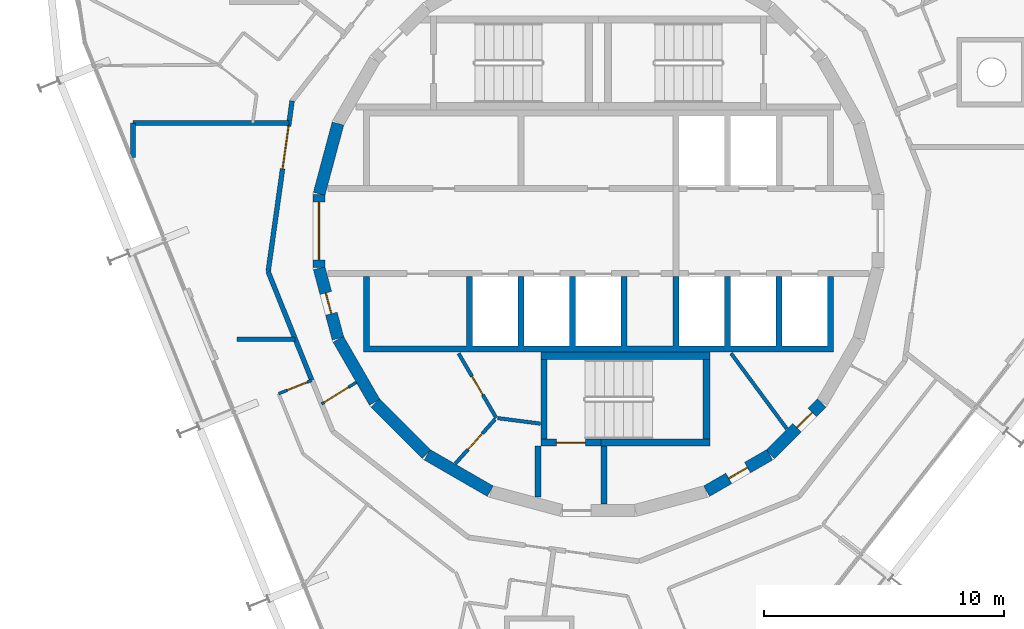
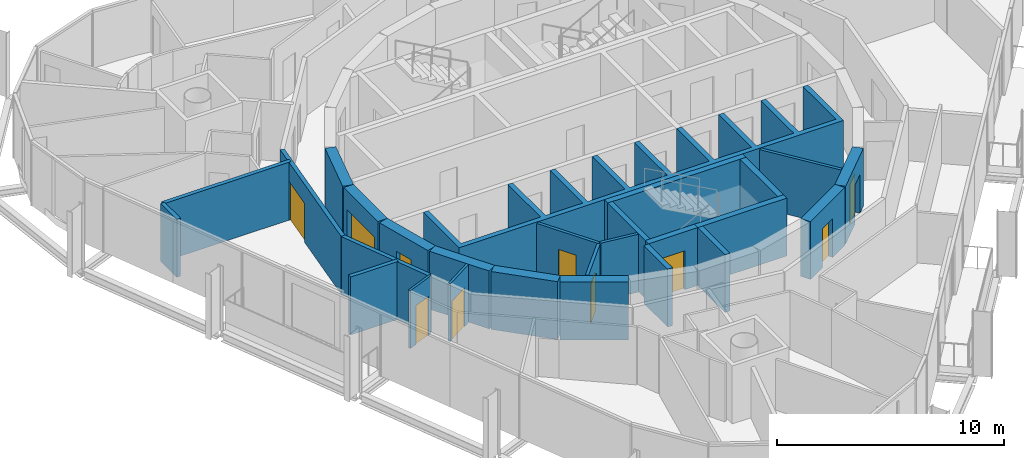
# One storey, part 10 of 15: 27 walls, 10 doors, 10 openings.
"""IFC4 building model written with IfcOpenShell, lengths in metres."""

from ifc_helpers import new_model, si_unit, direction, frame, frame_2d, origin, place, context, subcontext, project, spatial, polyline, rectangle, outline, extrude, material, layer, layer_set, type_object, element, fill, save


model = new_model("IFC4")

# Units and contexts
model_context = context("Model", 3, precision=1e-05, world=origin(), true_north=direction((0.0, 1.0)))
body_context = subcontext(model_context, "Body", "Model", "MODEL_VIEW")
ifc_project = project(units=[si_unit("LENGTHUNIT", "METRE"), si_unit("AREAUNIT", "SQUARE_METRE"), si_unit("VOLUMEUNIT", "CUBIC_METRE"), si_unit("PLANEANGLEUNIT", "RADIAN"), si_unit("MASSUNIT", "GRAM", prefix="KILO")], contexts=[model_context])

# Site, building, storey
site_placement = place(None, origin())
site = spatial("IfcSite", under=ifc_project, at=site_placement, CompositionType="ELEMENT")
building_placement = place(site_placement, origin())
building = spatial("IfcBuilding", under=site, at=building_placement, Name="Spindle Arch Residences", CompositionType="ELEMENT")
storey_placement = place(building_placement, frame((0.0, 0.0, 340.0)))
storey = spatial("IfcBuildingStorey", under=building, at=storey_placement, Name="L87", CompositionType="ELEMENT", Elevation=340.0)

# Wall, opening, door
ifc_material_1 = material(Name="Concrete C50/60", Category="concrete")
ifc_layer_1 = layer(ifc_material_1, 0.5)
ifc_layer_set_1 = layer_set([ifc_layer_1], Name="Core outline wall 500")
wall_type_1 = type_object("IfcWallType", Name="Core outline wall 500", PredefinedType="SHEAR", material=ifc_layer_set_1)
wall_1_placement = place(storey_placement, frame((4.510498046875, -10.84521484375, 0.0), z_axis=(0.0, 0.0, 1.0), x_axis=(0.865975092491, 0.500087131594, 0.0)))
wall_1 = element("IfcWall", 1, at=wall_1_placement, inside=storey, type_object=wall_type_1, Name="Core outline wall 2", PredefinedType="SHEAR", context=body_context, shape_type="SweptSolid", body=[
    extrude(rectangle(XDim=3.03271484375, YDim=0.5, at=frame_2d((1.516357421875, 0.0))), origin(), (0.0, 0.0, 1.0), 3.1201171875),
])
opening_1_placement = place(wall_1_placement, frame((1.06640625, 0.0, 0.0)))
opening_1 = element("IfcOpeningElement", 2, at=opening_1_placement, cuts=wall_1, Name="Opening R9A0-WD08", PredefinedType="OPENING", context=body_context, shape_type="SweptSolid", body=[
    extrude(rectangle(XDim=0.89990234375, YDim=2.10009765625, at=frame_2d((0.449951171875, 1.050048828125))), frame((0.0, 0.260009765625, 0.0), z_axis=(0.0, -1.0, 0.0), x_axis=(1.0, 0.0, 0.0)), (0.0, 0.0, 1.0), 0.52001953125),
])
ifc_material_2 = material(Name="Steel, fire-resisting door", Category="steel")
door_type_1 = type_object("IfcDoorType", Name="Service room door 900x2100", OperationType="SINGLE_SWING_LEFT", PredefinedType="DOOR", material=ifc_material_2)
door_1_placement = place(opening_1_placement, origin())
door_1 = element("IfcDoor", 3, at=door_1_placement, inside=storey, type_object=door_type_1, Name="Service room door R9A0-WD08", OperationType="SINGLE_SWING_RIGHT", OverallHeight=2.10009765625, OverallWidth=0.89990234375, PredefinedType="DOOR", context=body_context, shape_type="SweptSolid", body=[
    extrude(rectangle(XDim=0.89990234375, YDim=2.10009765625, at=frame_2d((0.449951171875, 1.050048828125))), frame((0.0, 0.02490234375, 0.0), z_axis=(0.0, -1.0, 0.0), x_axis=(1.0, 0.0, 0.0)), (0.0, 0.0, 1.0), 0.050048828125),
])
fill(opening_1, door_1)

wall_2_placement = place(storey_placement, frame((7.163818359375, -9.30810546875, 0.0), z_axis=(0.0, 0.0, 1.0), x_axis=(0.707106781187, 0.707106781187, 0.0)))
wall_2 = element("IfcWall", 4, at=wall_2_placement, inside=storey, type_object=wall_type_1, Name="Core outline wall 3", PredefinedType="SHEAR", context=body_context, shape_type="SweptSolid", body=[
    extrude(rectangle(XDim=3.032470703125, YDim=0.5, at=frame_2d((1.51611328125, 0.0))), origin(), (0.0, 0.0, 1.0), 3.1201171875),
])
opening_2_placement = place(wall_2_placement, frame((1.56640625, 0.0, 0.0)))
opening_2 = element("IfcOpeningElement", 5, at=opening_2_placement, cuts=wall_2, Name="Opening R9A0-WD09", PredefinedType="OPENING", context=body_context, shape_type="SweptSolid", body=[
    extrude(rectangle(XDim=0.89990234375, YDim=2.10009765625, at=frame_2d((0.449951171875, 1.050048828125))), frame((0.0, 0.260009765625, 0.0), z_axis=(0.0, -1.0, 0.0), x_axis=(1.0, 0.0, 0.0)), (0.0, 0.0, 1.0), 0.52001953125),
])
door_2_placement = place(opening_2_placement, origin())
door_2 = element("IfcDoor", 6, at=door_2_placement, inside=storey, type_object=door_type_1, Name="Service room door R9A0-WD09", OperationType="SINGLE_SWING_LEFT", OverallHeight=2.10009765625, OverallWidth=0.89990234375, PredefinedType="DOOR", context=body_context, shape_type="SweptSolid", body=[
    extrude(rectangle(XDim=0.89990234375, YDim=2.10009765625, at=frame_2d((0.449951171875, 1.050048828125))), frame((0.0, 0.02490234375, 0.0), z_axis=(0.0, -1.0, 0.0), x_axis=(1.0, 0.0, 0.0)), (0.0, 0.0, 1.0), 0.050048828125),
])
fill(opening_2, door_2)

# Wall
wall_3_placement = place(storey_placement, frame((-10.858154296875, 4.479248046875, 0.0), z_axis=(0.0, 0.0, 1.0), x_axis=(-0.258734743916, -0.965948410781, 0.0)))
element("IfcWall", 7, at=wall_3_placement, inside=storey, type_object=wall_type_1, Name="Core outline wall 17", PredefinedType="SHEAR", context=body_context, shape_type="SweptSolid", body=[
    extrude(rectangle(XDim=3.03271484375, YDim=0.5, at=frame_2d((1.516357421875, 0.0))), origin(), (0.0, 0.0, 1.0), 3.1201171875),
])

# Wall, opening, door
wall_4_placement = place(storey_placement, frame((-11.647216796875, 1.516357421875, 0.0), z_axis=(0.0, 0.0, 1.0), x_axis=(0.0, -1.0, 0.0)))
wall_4 = element("IfcWall", 8, at=wall_4_placement, inside=storey, type_object=wall_type_1, Name="Core outline wall 18", PredefinedType="SHEAR", context=body_context, shape_type="SweptSolid", body=[
    extrude(rectangle(XDim=3.03271484375, YDim=0.5, at=frame_2d((1.516357421875, 0.0))), origin(), (0.0, 0.0, 1.0), 3.1201171875),
])
opening_3_placement = place(wall_4_placement, frame((0.31640625, 0.0, 0.0)))
opening_3 = element("IfcOpeningElement", 9, at=opening_3_placement, cuts=wall_4, Name="Opening R9A0-LE01", PredefinedType="OPENING", context=body_context, shape_type="SweptSolid", body=[
    extrude(rectangle(XDim=2.39990234375, YDim=2.10009765625, at=frame_2d((1.199951171875, 1.050048828125))), frame((0.0, 0.260009765625, 0.0), z_axis=(0.0, -1.0, 0.0), x_axis=(1.0, 0.0, 0.0)), (0.0, 0.0, 1.0), 0.52001953125),
])
ifc_material_3 = material(Name="Steel, fire-resisting door", Category="steel")
door_type_2 = type_object("IfcDoorType", Name="Lift lobby entrance door 2400x2100", OperationType="DOUBLE_DOOR_SINGLE_SWING", PredefinedType="DOOR", material=ifc_material_3)
door_3_placement = place(opening_3_placement, origin())
door_3 = element("IfcDoor", 10, at=door_3_placement, inside=storey, type_object=door_type_2, Name="Lift lobby entrance door R9A0-LE01", OperationType="DOUBLE_DOOR_SINGLE_SWING", OverallHeight=2.10009765625, OverallWidth=2.39990234375, PredefinedType="DOOR", context=body_context, shape_type="SweptSolid", body=[
    extrude(rectangle(XDim=2.39990234375, YDim=2.10009765625, at=frame_2d((1.199951171875, 1.050048828125))), frame((0.0, 0.02490234375, 0.0), z_axis=(0.0, -1.0, 0.0), x_axis=(1.0, 0.0, 0.0)), (0.0, 0.0, 1.0), 0.050048828125),
])
fill(opening_3, door_3)

wall_5_placement = place(storey_placement, frame((-11.642822265625, -1.5498046875, 0.0), z_axis=(0.0, 0.0, 1.0), x_axis=(0.258734743916, -0.965948410781, 0.0)))
wall_5 = element("IfcWall", 11, at=wall_5_placement, inside=storey, type_object=wall_type_1, Name="Core outline wall 19", PredefinedType="SHEAR", context=body_context, shape_type="SweptSolid", body=[
    extrude(rectangle(XDim=3.03271484375, YDim=0.5, at=frame_2d((1.516357421875, 0.0))), origin(), (0.0, 0.0, 1.0), 3.1201171875),
])
opening_4_placement = place(wall_5_placement, frame((1.06640625, 0.0, 0.0)))
opening_4 = element("IfcOpeningElement", 12, at=opening_4_placement, cuts=wall_5, Name="Opening R9A0-WD10", PredefinedType="OPENING", context=body_context, shape_type="SweptSolid", body=[
    extrude(rectangle(XDim=0.89990234375, YDim=2.10009765625, at=frame_2d((0.449951171875, 1.050048828125))), frame((0.0, 0.260009765625, 0.0), z_axis=(0.0, -1.0, 0.0), x_axis=(1.0, 0.0, 0.0)), (0.0, 0.0, 1.0), 0.52001953125),
])
door_4_placement = place(opening_4_placement, origin())
door_4 = element("IfcDoor", 13, at=door_4_placement, inside=storey, type_object=door_type_1, Name="Service room door R9A0-WD10", OperationType="SINGLE_SWING_RIGHT", OverallHeight=2.10009765625, OverallWidth=0.89990234375, PredefinedType="DOOR", context=body_context, shape_type="SweptSolid", body=[
    extrude(rectangle(XDim=0.89990234375, YDim=2.10009765625, at=frame_2d((0.449951171875, 1.050048828125))), frame((0.0, 0.02490234375, 0.0), z_axis=(0.0, -1.0, 0.0), x_axis=(1.0, 0.0, 0.0)), (0.0, 0.0, 1.0), 0.050048828125),
])
fill(opening_4, door_4)

# Walls
wall_6_placement = place(storey_placement, frame((-10.84521484375, -4.510498046875, 0.0), z_axis=(0.0, 0.0, 1.0), x_axis=(0.500087131594, -0.865975092491, 0.0)))
element("IfcWall", 14, at=wall_6_placement, inside=storey, type_object=wall_type_1, Name="Core outline wall 20", PredefinedType="SHEAR", context=body_context, shape_type="SweptSolid", body=[
    extrude(rectangle(XDim=3.03271484375, YDim=0.5, at=frame_2d((1.516357421875, 0.0))), origin(), (0.0, 0.0, 1.0), 3.1201171875),
])
wall_7_placement = place(storey_placement, frame((-9.30810546875, -7.163818359375, 0.0), z_axis=(0.0, 0.0, 1.0), x_axis=(0.707106781187, -0.707106781187, 0.0)))
element("IfcWall", 15, at=wall_7_placement, inside=storey, type_object=wall_type_1, Name="Core outline wall 21", PredefinedType="SHEAR", context=body_context, shape_type="SweptSolid", body=[
    extrude(rectangle(XDim=3.032470703125, YDim=0.5, at=frame_2d((1.51611328125, 0.0))), origin(), (0.0, 0.0, 1.0), 3.1201171875),
])
wall_8_placement = place(storey_placement, frame((-7.13671875, -9.32861328125, 0.0), z_axis=(0.0, 0.0, 1.0), x_axis=(0.865975092491, -0.500087131594, 0.0)))
element("IfcWall", 16, at=wall_8_placement, inside=storey, type_object=wall_type_1, Name="Core outline wall 22", PredefinedType="SHEAR", context=body_context, shape_type="SweptSolid", body=[
    extrude(rectangle(XDim=3.03271484375, YDim=0.5, at=frame_2d((1.516357421875, 0.0))), origin(), (0.0, 0.0, 1.0), 3.1201171875),
])

# Wall, opening, door
ifc_material_4 = material(Name="Plasterboard on steel studs", Category="steel")
ifc_layer_2 = layer(ifc_material_4, 0.1201171875)
ifc_layer_set_2 = layer_set([ifc_layer_2], Name="Corridor division wall 120")
wall_type_2 = type_object("IfcWallType", Name="Corridor division wall 120", PredefinedType="PARTITIONING", material=ifc_layer_set_2)
wall_9_placement = place(storey_placement, frame((-11.539306640625, -7.21044921875, 0.0), z_axis=(0.0, 0.0, 1.0), x_axis=(0.848103039868, 0.529831325769, 0.0)))
wall_9 = element("IfcWall", 17, at=wall_9_placement, inside=storey, type_object=wall_type_2, Name="Corridor division wall R9A0-W003", PredefinedType="PARTITIONING", context=body_context, shape_type="SweptSolid", body=[
    extrude(rectangle(XDim=1.7021484375, YDim=0.1201171875, at=frame_2d((0.85107421875, 0.0))), origin(), (0.0, 0.0, 1.0), 3.1201171875),
])
opening_5_placement = place(wall_9_placement, frame((0.1201171875, 0.0, 0.0)))
opening_5 = element("IfcOpeningElement", 18, at=opening_5_placement, cuts=wall_9, Name="Opening R9A0-CD03", PredefinedType="OPENING", context=body_context, shape_type="SweptSolid", body=[
    extrude(rectangle(XDim=1.199951171875, YDim=2.10009765625, at=frame_2d((0.60009765625, 1.050048828125))), frame((0.0, 0.070068359375, 0.0), z_axis=(0.0, -1.0, 0.0), x_axis=(1.0, 0.0, 0.0)), (0.0, 0.0, 1.0), 0.14013671875),
])
ifc_material_5 = material(Name="Steel, fire-resisting door", Category="steel")
door_type_3 = type_object("IfcDoorType", Name="Corridor division door 1200x2100", OperationType="NOTDEFINED", PredefinedType="DOOR", material=ifc_material_5)
door_5_placement = place(opening_5_placement, origin())
door_5 = element("IfcDoor", 19, at=door_5_placement, inside=storey, type_object=door_type_3, Name="Corridor division door R9A0-CD03", OperationType="DOUBLE_DOOR_SINGLE_SWING", OverallHeight=2.10009765625, OverallWidth=1.199951171875, PredefinedType="DOOR", context=body_context, shape_type="SweptSolid", body=[
    extrude(rectangle(XDim=1.199951171875, YDim=2.10009765625, at=frame_2d((0.60009765625, 1.050048828125))), frame((0.0, 0.02490234375, 0.0), z_axis=(0.0, -1.0, 0.0), x_axis=(1.0, 0.0, 0.0)), (0.0, 0.0, 1.0), 0.050048828125),
])
fill(opening_5, door_5)

ifc_material_6 = material(Name="Plasterboard on steel studs", Category="steel")
ifc_layer_3 = layer(ifc_material_6, 0.1201171875)
ifc_layer_set_3 = layer_set([ifc_layer_3], Name="Flat partition 120")
wall_type_3 = type_object("IfcWallType", Name="Flat partition 120", PredefinedType="PARTITIONING", material=ifc_layer_set_3)
wall_10_placement = place(storey_placement, frame((-11.953369140625, -6.225341796875, 0.0), z_axis=(0.0, 0.0, 1.0), x_axis=(-0.927144096717, -0.374704982518, 0.0)))
wall_10 = element("IfcWall", 20, at=wall_10_placement, inside=storey, type_object=wall_type_3, Name="Flat partition R9A0-W072", PredefinedType="PARTITIONING", context=body_context, shape_type="SweptSolid", body=[
    extrude(rectangle(XDim=1.48486328125, YDim=0.1201171875, at=frame_2d((0.742431640625, 0.0))), origin(), (0.0, 0.0, 1.0), 3.1201171875),
])
opening_6_placement = place(wall_10_placement, frame((0.199951171875, 0.0, 0.0)))
opening_6 = element("IfcOpeningElement", 21, at=opening_6_placement, cuts=wall_10, Name="Opening R9A0-ID15", PredefinedType="OPENING", context=body_context, shape_type="SweptSolid", body=[
    extrude(rectangle(XDim=0.89990234375, YDim=2.10009765625, at=frame_2d((0.449951171875, 1.050048828125))), frame((0.0, 0.070068359375, 0.0), z_axis=(0.0, -1.0, 0.0), x_axis=(1.0, 0.0, 0.0)), (0.0, 0.0, 1.0), 0.14013671875),
])
ifc_material_7 = material(Name="Timber door set", Category="wood")
door_type_4 = type_object("IfcDoorType", Name="Room door 900x2100", OperationType="NOTDEFINED", PredefinedType="DOOR", material=ifc_material_7)
door_6_placement = place(opening_6_placement, origin())
door_6 = element("IfcDoor", 22, at=door_6_placement, inside=storey, type_object=door_type_4, Name="Room door R9A0-ID15", OperationType="SINGLE_SWING_LEFT", OverallHeight=2.10009765625, OverallWidth=0.89990234375, PredefinedType="DOOR", context=body_context, shape_type="SweptSolid", body=[
    extrude(rectangle(XDim=0.89990234375, YDim=2.10009765625, at=frame_2d((0.449951171875, 1.050048828125))), frame((0.0, 0.02490234375, 0.0), z_axis=(0.0, -1.0, 0.0), x_axis=(1.0, 0.0, 0.0)), (0.0, 0.0, 1.0), 0.050048828125),
])
fill(opening_6, door_6)

ifc_material_8 = material(Name="Calcium silicate block, plastered")
ifc_layer_4 = layer(ifc_material_8, 0.199951171875)
ifc_layer_set_4 = layer_set([ifc_layer_4], Name="Lift lobby bay wall 200")
wall_type_4 = type_object("IfcWallType", Name="Lift lobby bay wall 200", PredefinedType="STANDARD", material=ifc_layer_set_4)
wall_11_placement = place(storey_placement, frame((-12.77001953125, 5.42041015625, 0.0), z_axis=(0.0, 0.0, 1.0), x_axis=(-0.139155334385, -0.990270565508, 0.0)))
wall_11 = element("IfcWall", 23, at=wall_11_placement, inside=storey, type_object=wall_type_4, Name="Lift lobby bay wall R9A0-W009", PredefinedType="STANDARD", context=body_context, shape_type="SweptSolid", body=[
    extrude(rectangle(XDim=7.180908203125, YDim=0.199951171875, at=frame_2d((3.59033203125, 0.0))), origin(), (0.0, 0.0, 1.0), 3.1201171875),
])
opening_7_placement = place(wall_11_placement, frame((1.0546875, 0.0, 0.0)))
opening_7 = element("IfcOpeningElement", 24, at=opening_7_placement, cuts=wall_11, Name="Opening R9A0-LB01", PredefinedType="OPENING", context=body_context, shape_type="SweptSolid", body=[
    extrude(rectangle(XDim=1.800048828125, YDim=2.10009765625, at=frame_2d((0.89990234375, 1.050048828125))), frame((0.0, 0.10986328125, 0.0), z_axis=(0.0, -1.0, 0.0), x_axis=(1.0, 0.0, 0.0)), (0.0, 0.0, 1.0), 0.219970703125),
])
ifc_material_9 = material(Name="Steel, fire-resisting door", Category="steel")
door_type_5 = type_object("IfcDoorType", Name="Lift lobby bay door 1800x2100", OperationType="NOTDEFINED", PredefinedType="DOOR", material=ifc_material_9)
door_7_placement = place(opening_7_placement, origin())
door_7 = element("IfcDoor", 25, at=door_7_placement, inside=storey, type_object=door_type_5, Name="Lift lobby bay door R9A0-LB01", OperationType="DOUBLE_DOOR_SINGLE_SWING", OverallHeight=2.10009765625, OverallWidth=1.800048828125, PredefinedType="DOOR", context=body_context, shape_type="SweptSolid", body=[
    extrude(rectangle(XDim=1.800048828125, YDim=2.10009765625, at=frame_2d((0.89990234375, 1.050048828125))), frame((0.0, 0.02490234375, 0.0), z_axis=(0.0, -1.0, 0.0), x_axis=(1.0, 0.0, 0.0)), (0.0, 0.0, 1.0), 0.050048828125),
])
fill(opening_7, door_7)

# Walls
wall_12_placement = place(storey_placement, frame((-13.769287109375, -1.690673828125, 0.0), z_axis=(0.0, 0.0, 1.0), x_axis=(0.372720094028, -0.927943819155, 0.0)))
element("IfcWall", 26, at=wall_12_placement, inside=storey, type_object=wall_type_4, Name="Lift lobby bay wall R9A0-W010", PredefinedType="STANDARD", context=body_context, shape_type="SweptSolid", body=[
    extrude(rectangle(XDim=4.874755859375, YDim=0.199951171875, at=frame_2d((2.4375, 0.0))), origin(), (0.0, 0.0, 1.0), 3.1201171875),
])
wall_13_placement = place(storey_placement, frame((-12.8994140625, 4.5, 0.0), z_axis=(0.0, 0.0, 1.0), x_axis=(-1.0, 0.0, 0.0)))
element("IfcWall", 27, at=wall_13_placement, inside=storey, type_object=wall_type_4, Name="Lift lobby bay wall R9A0-W017", PredefinedType="STANDARD", context=body_context, shape_type="SweptSolid", body=[
    extrude(rectangle(XDim=6.50048828125, YDim=0.199951171875, at=frame_2d((3.250244140625, 0.0))), origin(), (0.0, 0.0, 1.0), 3.1201171875),
])
wall_14_placement = place(storey_placement, frame((-19.39990234375, 4.5, 0.0), z_axis=(0.0, 0.0, 1.0), x_axis=(0.0, -1.0, 0.0)))
element("IfcWall", 28, at=wall_14_placement, inside=storey, type_object=wall_type_4, Name="Lift lobby bay wall R9A0-W018", PredefinedType="STANDARD", context=body_context, shape_type="SweptSolid", body=[
    extrude(rectangle(XDim=1.432861328125, YDim=0.199951171875, at=frame_2d((0.71630859375, 0.0))), origin(), (0.0, 0.0, 1.0), 3.1201171875),
])
wall_15_placement = place(storey_placement, frame((-15.07373046875, -4.510009765625, 0.0), z_axis=(0.0, 0.0, 1.0), x_axis=(1.0, 0.0, 0.0)))
element("IfcWall", 29, at=wall_15_placement, inside=storey, type_object=wall_type_4, Name="Lift lobby bay wall R9A0-W019", PredefinedType="STANDARD", context=body_context, shape_type="SweptSolid", body=[
    extrude(rectangle(XDim=2.4326171875, YDim=0.199951171875, at=frame_2d((1.21630859375, 0.0))), origin(), (0.0, 0.0, 1.0), 3.1201171875),
])
ifc_material_10 = material(Name="Concrete C50/60", Category="concrete")
wall_type_5 = type_object("IfcWallType", Name="Lift shaft wall profile", PredefinedType="SHEAR", material=ifc_material_10)
wall_16_placement = place(storey_placement, origin())
element("IfcWall", 30, at=wall_16_placement, inside=storey, type_object=wall_type_5, Name="Lift shaft walls S", PredefinedType="SHEAR", context=body_context, shape_type="SweptSolid", body=[
    extrude(outline(polyline([(9.800048828125, -5.050048828125), (9.800048828125, -4.800048828125), (9.800048828125, -1.89990234375), (9.550048828125, -1.89990234375), (9.550048828125, -4.800048828125), (7.64990234375, -4.800048828125), (7.64990234375, -1.89990234375), (7.39990234375, -1.89990234375), (7.39990234375, -4.800048828125), (5.5, -4.800048828125), (5.5, -1.89990234375), (5.25, -1.89990234375), (5.25, -4.800048828125), (3.35009765625, -4.800048828125), (3.35009765625, -1.89990234375), (3.10009765625, -1.89990234375), (3.10009765625, -4.800048828125), (1.199951171875, -4.800048828125), (1.199951171875, -1.89990234375), (0.949951171875, -1.89990234375), (0.949951171875, -4.800048828125), (-0.949951171875, -4.800048828125), (-0.949951171875, -1.89990234375), (-1.199951171875, -1.89990234375), (-1.199951171875, -4.800048828125), (-3.10009765625, -4.800048828125), (-3.10009765625, -1.89990234375), (-3.35009765625, -1.89990234375), (-3.35009765625, -4.800048828125), (-5.25, -4.800048828125), (-5.25, -1.89990234375), (-5.5, -1.89990234375), (-5.5, -4.800048828125), (-9.550048828125, -4.800048828125), (-9.550048828125, -1.89990234375), (-9.800048828125, -1.89990234375), (-9.800048828125, -4.800048828125), (-9.800048828125, -5.050048828125), (9.800048828125, -5.050048828125)])), origin(), (0.0, 0.0, 1.0), 3.1201171875),
])
ifc_material_11 = material(Name="Concrete C25/30", Category="concrete")
ifc_layer_5 = layer(ifc_material_11, 0.14990234375)
ifc_layer_set_5 = layer_set([ifc_layer_5], Name="Service room partition 150")
wall_type_6 = type_object("IfcWallType", Name="Service room partition 150", PredefinedType="PARTITIONING", material=ifc_layer_set_5)
wall_17_placement = place(storey_placement, frame((5.528076171875, -5.098388671875, 0.0), z_axis=(0.0, 0.0, 1.0), x_axis=(0.594034318069, -0.804439698769, 0.0)))
element("IfcWall", 31, at=wall_17_placement, inside=storey, type_object=wall_type_6, Name="Core service room partition", PredefinedType="PARTITIONING", context=body_context, shape_type="SweptSolid", body=[
    extrude(rectangle(XDim=3.90673828125, YDim=0.14990234375, at=frame_2d((1.953369140625, 0.0))), origin(), (0.0, 0.0, 1.0), 3.1201171875),
])

# Wall, opening, door
wall_18_placement = place(storey_placement, frame((-5.8291015625, -5.101806640625, 0.0), z_axis=(0.0, 0.0, 1.0), x_axis=(0.504480008384, -0.863423373057, 0.0)))
wall_18 = element("IfcWall", 32, at=wall_18_placement, inside=storey, type_object=wall_type_6, Name="Core service room partition", PredefinedType="PARTITIONING", context=body_context, shape_type="SweptSolid", body=[
    extrude(rectangle(XDim=3.115234375, YDim=0.14990234375, at=frame_2d((1.5576171875, 0.0))), origin(), (0.0, 0.0, 1.0), 3.1201171875),
])
opening_8_placement = place(wall_18_placement, frame((1.107421875, 0.0, 0.0)))
opening_8 = element("IfcOpeningElement", 33, at=opening_8_placement, cuts=wall_18, Name="Opening R9A0-WD07", PredefinedType="OPENING", context=body_context, shape_type="SweptSolid", body=[
    extrude(rectangle(XDim=0.89990234375, YDim=2.10009765625, at=frame_2d((0.449951171875, 1.050048828125))), frame((0.0, 0.0849609375, 0.0), z_axis=(0.0, -1.0, 0.0), x_axis=(1.0, 0.0, 0.0)), (0.0, 0.0, 1.0), 0.169921875),
])
door_8_placement = place(opening_8_placement, origin())
door_8 = element("IfcDoor", 34, at=door_8_placement, inside=storey, type_object=door_type_1, Name="Service room door R9A0-WD07", OperationType="SINGLE_SWING_LEFT", OverallHeight=2.10009765625, OverallWidth=0.89990234375, PredefinedType="DOOR", context=body_context, shape_type="SweptSolid", body=[
    extrude(rectangle(XDim=0.89990234375, YDim=2.10009765625, at=frame_2d((0.449951171875, 1.050048828125))), frame((0.0, 0.02490234375, 0.0), z_axis=(0.0, -1.0, 0.0), x_axis=(1.0, 0.0, 0.0)), (0.0, 0.0, 1.0), 0.050048828125),
])
fill(opening_8, door_8)

wall_19_placement = place(storey_placement, frame((-4.310791015625, -7.85107421875, 0.0), z_axis=(0.0, 0.0, 1.0), x_axis=(-0.667869133096, -0.744278725383, 0.0)))
wall_19 = element("IfcWall", 35, at=wall_19_placement, inside=storey, type_object=wall_type_6, Name="Core service room partition", PredefinedType="PARTITIONING", context=body_context, shape_type="SweptSolid", body=[
    extrude(rectangle(XDim=2.476318359375, YDim=0.14990234375, at=frame_2d((1.23828125, 0.0))), origin(), (0.0, 0.0, 1.0), 3.1201171875),
])
opening_9_placement = place(wall_19_placement, frame((0.7880859375, 0.0, 0.0)))
opening_9 = element("IfcOpeningElement", 36, at=opening_9_placement, cuts=wall_19, Name="Opening R9A0-WD06", PredefinedType="OPENING", context=body_context, shape_type="SweptSolid", body=[
    extrude(rectangle(XDim=0.89990234375, YDim=2.10009765625, at=frame_2d((0.449951171875, 1.050048828125))), frame((0.0, 0.0849609375, 0.0), z_axis=(0.0, -1.0, 0.0), x_axis=(1.0, 0.0, 0.0)), (0.0, 0.0, 1.0), 0.169921875),
])
door_9_placement = place(opening_9_placement, origin())
door_9 = element("IfcDoor", 37, at=door_9_placement, inside=storey, type_object=door_type_1, Name="Service room door R9A0-WD06", OperationType="SINGLE_SWING_RIGHT", OverallHeight=2.10009765625, OverallWidth=0.89990234375, PredefinedType="DOOR", context=body_context, shape_type="SweptSolid", body=[
    extrude(rectangle(XDim=0.89990234375, YDim=2.10009765625, at=frame_2d((0.449951171875, 1.050048828125))), frame((0.0, 0.02490234375, 0.0), z_axis=(0.0, -1.0, 0.0), x_axis=(1.0, 0.0, 0.0)), (0.0, 0.0, 1.0), 0.050048828125),
])
fill(opening_9, door_9)

# Walls
wall_20_placement = place(storey_placement, frame((-4.197998046875, -7.79931640625, 0.0), z_axis=(0.0, 0.0, 1.0), x_axis=(0.991686747293, -0.128675542523, 0.0)))
element("IfcWall", 38, at=wall_20_placement, inside=storey, type_object=wall_type_6, Name="Core service room partition", PredefinedType="PARTITIONING", context=body_context, shape_type="SweptSolid", body=[
    extrude(rectangle(XDim=1.79296875, YDim=0.14990234375, at=frame_2d((0.896484375, 0.0))), origin(), (0.0, 0.0, 1.0), 3.1201171875),
])
ifc_material_12 = material(Name="Concrete C40/50", Category="concrete")
ifc_layer_6 = layer(ifc_material_12, 0.25)
ifc_layer_set_6 = layer_set([ifc_layer_6], Name="Stair airlock wall 250")
wall_type_7 = type_object("IfcWallType", Name="Stair airlock wall 250", PredefinedType="SHEAR", material=ifc_layer_set_6)
wall_21_placement = place(storey_placement, frame((-2.52490234375, -8.969970703125, 0.0), z_axis=(0.0, 0.0, 1.0), x_axis=(0.0, -1.0, 0.0)))
element("IfcWall", 39, at=wall_21_placement, inside=storey, type_object=wall_type_7, Name="Stair ST-3 airlock wall W", PredefinedType="SHEAR", context=body_context, shape_type="SweptSolid", body=[
    extrude(rectangle(XDim=2.110107421875, YDim=0.25, at=frame_2d((1.05517578125, 0.0))), origin(), (0.0, 0.0, 1.0), 3.1201171875),
])
wall_22_placement = place(storey_placement, frame((0.22509765625, -8.969970703125, 0.0), z_axis=(0.0, 0.0, 1.0), x_axis=(0.0, -1.0, 0.0)))
element("IfcWall", 40, at=wall_22_placement, inside=storey, type_object=wall_type_7, Name="Stair ST-3 airlock wall E", PredefinedType="SHEAR", context=body_context, shape_type="SweptSolid", body=[
    extrude(rectangle(XDim=2.409912109375, YDim=0.25, at=frame_2d((1.205078125, 0.0))), origin(), (0.0, 0.0, 1.0), 3.1201171875),
])
ifc_material_13 = material(Name="Concrete C50/60", Category="concrete")
ifc_layer_7 = layer(ifc_material_13, 0.25)
ifc_layer_set_7 = layer_set([ifc_layer_7], Name="Stair enclosure wall 250")
wall_type_8 = type_object("IfcWallType", Name="Stair enclosure wall 250", PredefinedType="SHEAR", material=ifc_layer_set_7)
wall_23_placement = place(storey_placement, frame((-2.27490234375, -8.669921875, 0.0), z_axis=(0.0, 0.0, 1.0), x_axis=(0.0, 1.0, 0.0)))
element("IfcWall", 41, at=wall_23_placement, inside=storey, type_object=wall_type_8, Name="Stair ST-3 enclosure wall W", PredefinedType="SHEAR", context=body_context, shape_type="SweptSolid", body=[
    extrude(rectangle(XDim=3.31982421875, YDim=0.25, at=frame_2d((1.659912109375, 0.0))), origin(), (0.0, 0.0, 1.0), 3.1201171875),
])
ifc_material_14 = material(Name="Concrete C50/60", Category="concrete")
ifc_layer_8 = layer(ifc_material_14, 0.300048828125)
ifc_layer_set_8 = layer_set([ifc_layer_8], Name="Stair enclosure wall 300")
wall_type_9 = type_object("IfcWallType", Name="Stair enclosure wall 300", PredefinedType="SHEAR", material=ifc_layer_set_8)
wall_24_placement = place(storey_placement, frame((-2.39990234375, -5.199951171875, 0.0), z_axis=(0.0, 0.0, 1.0), x_axis=(1.0, 0.0, 0.0)))
element("IfcWall", 42, at=wall_24_placement, inside=storey, type_object=wall_type_9, Name="Stair ST-3 enclosure wall N", PredefinedType="SHEAR", context=body_context, shape_type="SweptSolid", body=[
    extrude(rectangle(XDim=7.0498046875, YDim=0.300048828125, at=frame_2d((3.52490234375, 0.0))), origin(), (0.0, 0.0, 1.0), 3.1201171875),
])
wall_25_placement = place(storey_placement, frame((4.5, -8.669921875, 0.0), z_axis=(0.0, 0.0, 1.0), x_axis=(0.0, 1.0, 0.0)))
element("IfcWall", 43, at=wall_25_placement, inside=storey, type_object=wall_type_9, Name="Stair ST-3 enclosure wall E", PredefinedType="SHEAR", context=body_context, shape_type="SweptSolid", body=[
    extrude(rectangle(XDim=3.31982421875, YDim=0.300048828125, at=frame_2d((1.659912109375, 0.0))), origin(), (0.0, 0.0, 1.0), 3.1201171875),
])
wall_26_placement = place(storey_placement, frame((0.10009765625, -8.820068359375, 0.0), z_axis=(0.0, 0.0, 1.0), x_axis=(1.0, 0.0, 0.0)))
element("IfcWall", 44, at=wall_26_placement, inside=storey, type_object=wall_type_9, Name="Stair ST-3 enclosure wall S", PredefinedType="SHEAR", context=body_context, shape_type="SweptSolid", body=[
    extrude(rectangle(XDim=4.5498046875, YDim=0.300048828125, at=frame_2d((2.27490234375, 0.0))), origin(), (0.0, 0.0, 1.0), 3.1201171875),
])

# Wall, opening, door
wall_27_placement = place(storey_placement, frame((-2.39990234375, -8.820068359375, 0.0), z_axis=(0.0, 0.0, 1.0), x_axis=(1.0, 0.0, 0.0)))
wall_27 = element("IfcWall", 45, at=wall_27_placement, inside=storey, type_object=wall_type_9, Name="Stair ST-3 door wall", PredefinedType="SHEAR", context=body_context, shape_type="SweptSolid", body=[
    extrude(rectangle(XDim=2.5, YDim=0.300048828125, at=frame_2d((1.25, 0.0))), origin(), (0.0, 0.0, 1.0), 3.1201171875),
])
opening_10_placement = place(wall_27_placement, frame((0.64990234375, 0.0, 0.0)))
opening_10 = element("IfcOpeningElement", 46, at=opening_10_placement, cuts=wall_27, Name="Opening R9A0-SD03", PredefinedType="OPENING", context=body_context, shape_type="SweptSolid", body=[
    extrude(rectangle(XDim=1.199951171875, YDim=2.10009765625, at=frame_2d((0.60009765625, 1.050048828125))), frame((0.0, 0.16015625, 0.0), z_axis=(0.0, -1.0, 0.0), x_axis=(1.0, 0.0, 0.0)), (0.0, 0.0, 1.0), 0.320068359375),
])
ifc_material_15 = material(Name="Steel, fire-resisting door", Category="steel")
door_type_6 = type_object("IfcDoorType", Name="Stair door 1200x2100", OperationType="SINGLE_SWING_RIGHT", PredefinedType="DOOR", material=ifc_material_15)
door_10_placement = place(opening_10_placement, origin())
door_10 = element("IfcDoor", 47, at=door_10_placement, inside=storey, type_object=door_type_6, Name="Stair door R9A0-SD03", OperationType="SINGLE_SWING_LEFT", OverallHeight=2.10009765625, OverallWidth=1.199951171875, PredefinedType="DOOR", context=body_context, shape_type="SweptSolid", body=[
    extrude(rectangle(XDim=1.199951171875, YDim=2.10009765625, at=frame_2d((0.60009765625, 1.050048828125))), frame((0.0, 0.02490234375, 0.0), z_axis=(0.0, -1.0, 0.0), x_axis=(1.0, 0.0, 0.0)), (0.0, 0.0, 1.0), 0.050048828125),
])
fill(opening_10, door_10)

save(model, "model.ifc")
